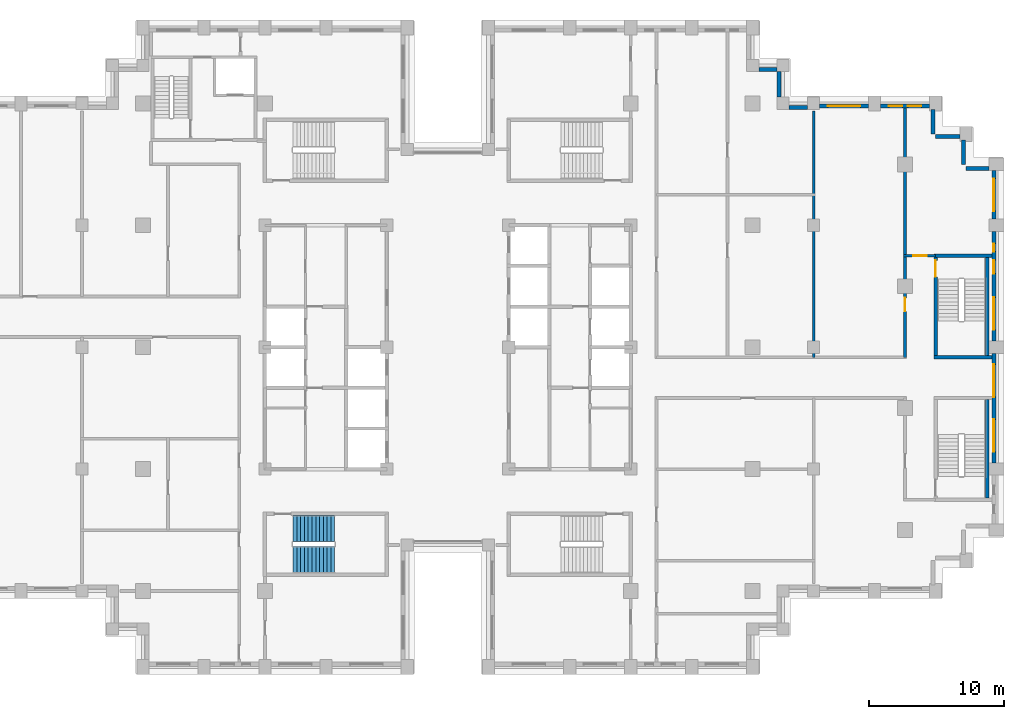
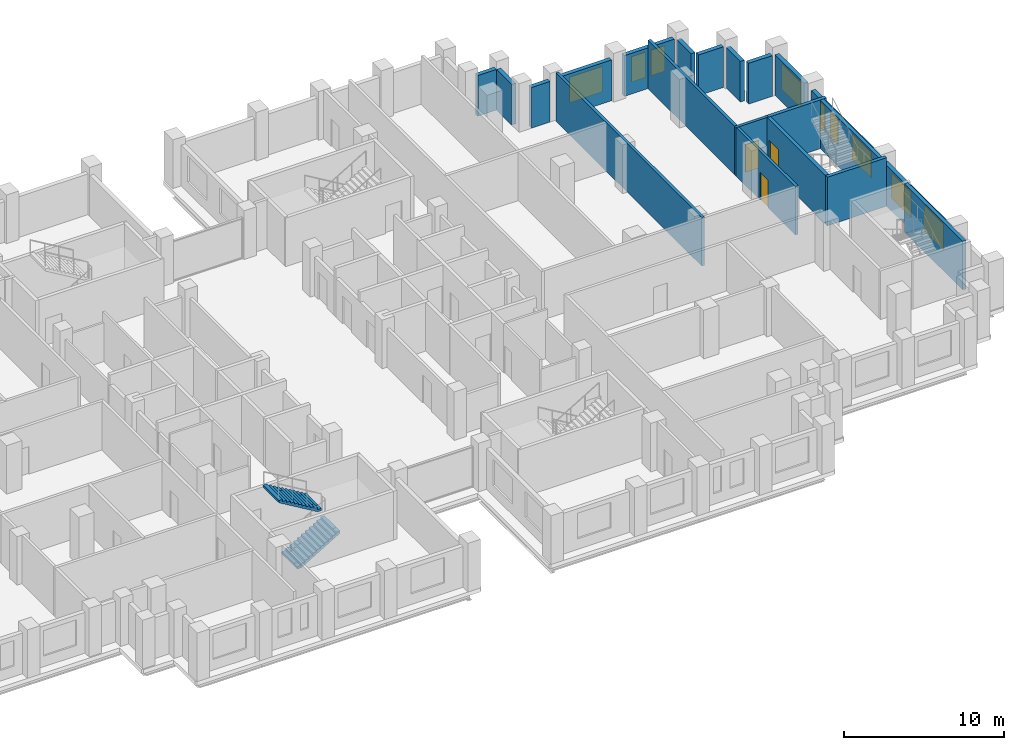
# One storey, part 12 of 15: 20 walls, 9 windows, 3 doors, 2 stair flights, 12 openings, 1 element without a shape of its own.
"""IFC4 building model written with IfcOpenShell, lengths in metres."""

from ifc_helpers import new_model, si_unit, direction, frame, frame_2d, origin, place, context, subcontext, project, spatial, polyline, rectangle, outline, extrude, material, layer, layer_set, type_object, element, fill, aggregate, save


model = new_model("IFC4")

# Units and contexts
model_context = context("Model", 3, precision=1e-05, world=origin(), true_north=direction((0.0, 1.0)))
body_context = subcontext(model_context, "Body", "Model", "MODEL_VIEW")
ifc_project = project(units=[si_unit("LENGTHUNIT", "METRE"), si_unit("AREAUNIT", "SQUARE_METRE"), si_unit("VOLUMEUNIT", "CUBIC_METRE"), si_unit("PLANEANGLEUNIT", "RADIAN"), si_unit("MASSUNIT", "GRAM", prefix="KILO")], contexts=[model_context])

# Site, building, storey
site_placement = place(None, origin())
site = spatial("IfcSite", under=ifc_project, at=site_placement, CompositionType="ELEMENT")
building_placement = place(site_placement, origin())
building = spatial("IfcBuilding", under=site, at=building_placement, Name="Corbelhall Arena Tower", CompositionType="ELEMENT")
storey_placement = place(building_placement, frame((0.0, 0.0, 162.0)))
storey = spatial("IfcBuildingStorey", under=building, at=storey_placement, Name="L32", CompositionType="ELEMENT", Elevation=162.0)

# Walls
ifc_material_1 = material(Name="Precast concrete C40/50 with granite facing", Category="masonry")
ifc_layer_1 = layer(ifc_material_1, 0.300048828125)
ifc_layer_set_1 = layer_set([ifc_layer_1], Name="EV-IW1 Infill panel 300")
wall_type_1 = type_object("IfcWallType", Name="EV-IW1 Infill panel 300", PredefinedType="SOLIDWALL", material=ifc_layer_set_1)
wall_1_placement = place(storey_placement, frame((39.949951171875, 13.199951171875, 0.0), z_axis=(0.0, 0.0, 1.0), x_axis=(-1.0, 0.0, 0.0)))
element("IfcWall", 1, at=wall_1_placement, inside=storey, type_object=wall_type_1, Name="Infill panel IW1", PredefinedType="SOLIDWALL", context=body_context, shape_type="SweptSolid", body=[
    extrude(rectangle(XDim=1.699951171875, YDim=0.300048828125, at=frame_2d((0.85009765625, 0.0))), origin(), (0.0, 0.0, 1.0), 3.10009765625),
])
for number, where, z_axis, x_axis, name in (
    (2, (38.050048828125, 15.300048828125, 0.0), (0.0, 0.0, 1.0), (0.0, -1.0, 0.0), "Infill panel IW1"),
    (3, (37.800048828125, 15.550048828125, 0.0), (0.0, 0.0, 1.0), (-1.0, 0.0, 0.0), "Infill panel IW1"),
    (4, (35.800048828125, 17.550048828125, 0.0), (0.0, 0.0, 1.0), (0.0, -1.0, 0.0), "Infill panel IW1"),
):
    element("IfcWall", number, at=place(storey_placement, frame(where, z_axis=z_axis, x_axis=x_axis)), inside=storey, type_object=wall_type_1, Name=name, PredefinedType="SOLIDWALL", context=body_context, shape_type="SweptSolid", body=[
        extrude(rectangle(XDim=1.800048828125, YDim=0.300048828125, at=frame_2d((0.89990234375, 0.0))), origin(), (0.0, 0.0, 1.0), 3.10009765625),
    ])

# Wall, openings, windows
wall_2_placement = place(storey_placement, frame((40.300048828125, -8.550048828125, 0.0), z_axis=(0.0, 0.0, 1.0), x_axis=(0.0, 1.0, 0.0)))
wall_2 = element("IfcWall", 5, at=wall_2_placement, inside=storey, type_object=wall_type_1, Name="Infill panel IW1", PredefinedType="SOLIDWALL", context=body_context, shape_type="SweptSolid", body=[
    extrude(rectangle(XDim=8.10009765625, YDim=0.300048828125, at=frame_2d((4.050048828125, 0.0))), origin(), (0.0, 0.0, 1.0), 3.10009765625),
])
opening_1_placement = place(wall_2_placement, frame((0.824951171875, 0.0, 0.800048828125)))
opening_1 = element("IfcOpeningElement", 6, at=opening_1_placement, cuts=wall_2, Name="Opening WN1", PredefinedType="OPENING", context=body_context, shape_type="SweptSolid", body=[
    extrude(rectangle(XDim=2.39990234375, YDim=1.949951171875, at=frame_2d((1.199951171875, 0.97509765625))), frame((0.0, 0.14990234375, 0.0), z_axis=(0.0, -1.0, 0.0), x_axis=(1.0, 0.0, 0.0)), (0.0, 0.0, 1.0), 0.300048828125),
])
opening_2_placement = place(wall_2_placement, frame((4.875, 0.0, 0.800048828125)))
opening_2 = element("IfcOpeningElement", 7, at=opening_2_placement, cuts=wall_2, Name="Opening WN1", PredefinedType="OPENING", context=body_context, shape_type="SweptSolid", body=[
    extrude(rectangle(XDim=2.39990234375, YDim=1.949951171875, at=frame_2d((1.199951171875, 0.97509765625))), frame((0.0, 0.14990234375, 0.0), z_axis=(0.0, -1.0, 0.0), x_axis=(1.0, 0.0, 0.0)), (0.0, 0.0, 1.0), 0.300048828125),
])
ifc_material_2 = material(Name="Aluminium black anodised", Category="aluminium")
window_type_1 = type_object("IfcWindowType", Name="EV-WN1 Office window", PartitioningType="SINGLE_PANEL", PredefinedType="WINDOW", material=ifc_material_2)
window_1_placement = place(opening_1_placement, origin())
window_1 = element("IfcWindow", 8, at=window_1_placement, inside=storey, type_object=window_type_1, Name="Window WN1", OverallHeight=1.949951171875, OverallWidth=2.39990234375, PartitioningType="SINGLE_PANEL", PredefinedType="WINDOW", context=body_context, shape_type="SweptSolid", body=[
    extrude(rectangle(XDim=2.39990234375, YDim=1.949951171875, at=frame_2d((1.199951171875, 0.97509765625))), frame((0.0, 0.030029296875, 0.0), z_axis=(0.0, -1.0, 0.0), x_axis=(1.0, 0.0, 0.0)), (0.0, 0.0, 1.0), 0.06005859375),
])
fill(opening_1, window_1)
window_2_placement = place(opening_2_placement, origin())
window_2 = element("IfcWindow", 9, at=window_2_placement, inside=storey, type_object=window_type_1, Name="Window WN1", OverallHeight=1.949951171875, OverallWidth=2.39990234375, PartitioningType="SINGLE_PANEL", PredefinedType="WINDOW", context=body_context, shape_type="SweptSolid", body=[
    extrude(rectangle(XDim=2.39990234375, YDim=1.949951171875, at=frame_2d((1.199951171875, 0.97509765625))), frame((0.0, 0.030029296875, 0.0), z_axis=(0.0, -1.0, 0.0), x_axis=(1.0, 0.0, 0.0)), (0.0, 0.0, 1.0), 0.06005859375),
])
fill(opening_2, window_2)

wall_3_placement = place(storey_placement, frame((40.300048828125, 0.449951171875, 0.0), z_axis=(0.0, 0.0, 1.0), x_axis=(0.0, 1.0, 0.0)))
wall_3 = element("IfcWall", 10, at=wall_3_placement, inside=storey, type_object=wall_type_1, Name="Infill panel IW1", PredefinedType="SOLIDWALL", context=body_context, shape_type="SweptSolid", body=[
    extrude(rectangle(XDim=8.10009765625, YDim=0.300048828125, at=frame_2d((4.050048828125, 0.0))), origin(), (0.0, 0.0, 1.0), 3.10009765625),
])
opening_3_placement = place(wall_3_placement, frame((0.824951171875, 0.0, 0.800048828125)))
opening_3 = element("IfcOpeningElement", 11, at=opening_3_placement, cuts=wall_3, Name="Opening WN1", PredefinedType="OPENING", context=body_context, shape_type="SweptSolid", body=[
    extrude(rectangle(XDim=2.39990234375, YDim=1.949951171875, at=frame_2d((1.199951171875, 0.97509765625))), frame((0.0, 0.14990234375, 0.0), z_axis=(0.0, -1.0, 0.0), x_axis=(1.0, 0.0, 0.0)), (0.0, 0.0, 1.0), 0.300048828125),
])
opening_4_placement = place(wall_3_placement, frame((4.97509765625, 0.0, 0.800048828125)))
opening_4 = element("IfcOpeningElement", 12, at=opening_4_placement, cuts=wall_3, Name="Opening WN6", PredefinedType="OPENING", context=body_context, shape_type="SweptSolid", body=[
    extrude(rectangle(XDim=1.0, YDim=1.949951171875, at=frame_2d((0.5, 0.97509765625))), frame((0.0, 0.14990234375, 0.0), z_axis=(0.0, -1.0, 0.0), x_axis=(1.0, 0.0, 0.0)), (0.0, 0.0, 1.0), 0.300048828125),
])
opening_5_placement = place(wall_3_placement, frame((6.60009765625, 0.0, 0.800048828125)))
opening_5 = element("IfcOpeningElement", 13, at=opening_5_placement, cuts=wall_3, Name="Opening WN5", PredefinedType="OPENING", context=body_context, shape_type="SweptSolid", body=[
    extrude(rectangle(XDim=0.60009765625, YDim=1.949951171875, at=frame_2d((0.300048828125, 0.97509765625))), frame((0.0, 0.14990234375, 0.0), z_axis=(0.0, -1.0, 0.0), x_axis=(1.0, 0.0, 0.0)), (0.0, 0.0, 1.0), 0.300048828125),
])
window_3_placement = place(opening_3_placement, origin())
window_3 = element("IfcWindow", 14, at=window_3_placement, inside=storey, type_object=window_type_1, Name="Window WN1", OverallHeight=1.949951171875, OverallWidth=2.39990234375, PartitioningType="SINGLE_PANEL", PredefinedType="WINDOW", context=body_context, shape_type="SweptSolid", body=[
    extrude(rectangle(XDim=2.39990234375, YDim=1.949951171875, at=frame_2d((1.199951171875, 0.97509765625))), frame((0.0, 0.030029296875, 0.0), z_axis=(0.0, -1.0, 0.0), x_axis=(1.0, 0.0, 0.0)), (0.0, 0.0, 1.0), 0.06005859375),
])
fill(opening_3, window_3)
window_type_2 = type_object("IfcWindowType", Name="EV-WN5 Office window 600", PartitioningType="SINGLE_PANEL", PredefinedType="WINDOW", material=ifc_material_2)
window_4_placement = place(opening_5_placement, origin())
window_4 = element("IfcWindow", 15, at=window_4_placement, inside=storey, type_object=window_type_2, Name="Window WN5", OverallHeight=1.949951171875, OverallWidth=0.60009765625, PartitioningType="SINGLE_PANEL", PredefinedType="WINDOW", context=body_context, shape_type="SweptSolid", body=[
    extrude(rectangle(XDim=0.60009765625, YDim=1.949951171875, at=frame_2d((0.300048828125, 0.97509765625))), frame((0.0, 0.030029296875, 0.0), z_axis=(0.0, -1.0, 0.0), x_axis=(1.0, 0.0, 0.0)), (0.0, 0.0, 1.0), 0.06005859375),
])
fill(opening_5, window_4)
window_type_3 = type_object("IfcWindowType", Name="EV-WN6 Office window 1000", PartitioningType="SINGLE_PANEL", PredefinedType="WINDOW", material=ifc_material_2)
window_5_placement = place(opening_4_placement, origin())
window_5 = element("IfcWindow", 16, at=window_5_placement, inside=storey, type_object=window_type_3, Name="Window WN6", OverallHeight=1.949951171875, OverallWidth=1.0, PartitioningType="SINGLE_PANEL", PredefinedType="WINDOW", context=body_context, shape_type="SweptSolid", body=[
    extrude(rectangle(XDim=1.0, YDim=1.949951171875, at=frame_2d((0.5, 0.97509765625))), frame((0.0, 0.030029296875, 0.0), z_axis=(0.0, -1.0, 0.0), x_axis=(1.0, 0.0, 0.0)), (0.0, 0.0, 1.0), 0.06005859375),
])
fill(opening_4, window_5)

# Wall, opening, window
wall_4_placement = place(storey_placement, frame((40.300048828125, 9.449951171875, 0.0), z_axis=(0.0, 0.0, 1.0), x_axis=(0.0, 1.0, 0.0)))
wall_4 = element("IfcWall", 17, at=wall_4_placement, inside=storey, type_object=wall_type_1, Name="Infill panel IW1", PredefinedType="SOLIDWALL", context=body_context, shape_type="SweptSolid", body=[
    extrude(rectangle(XDim=3.60009765625, YDim=0.300048828125, at=frame_2d((1.800048828125, 0.0))), origin(), (0.0, 0.0, 1.0), 3.10009765625),
])
opening_6_placement = place(wall_4_placement, frame((0.60009765625, 0.0, 0.800048828125)))
opening_6 = element("IfcOpeningElement", 18, at=opening_6_placement, cuts=wall_4, Name="Opening WN1", PredefinedType="OPENING", context=body_context, shape_type="SweptSolid", body=[
    extrude(rectangle(XDim=2.39990234375, YDim=1.949951171875, at=frame_2d((1.199951171875, 0.97509765625))), frame((0.0, 0.14990234375, 0.0), z_axis=(0.0, -1.0, 0.0), x_axis=(1.0, 0.0, 0.0)), (0.0, 0.0, 1.0), 0.300048828125),
])
window_6_placement = place(opening_6_placement, origin())
window_6 = element("IfcWindow", 19, at=window_6_placement, inside=storey, type_object=window_type_1, Name="Window WN1", OverallHeight=1.949951171875, OverallWidth=2.39990234375, PartitioningType="SINGLE_PANEL", PredefinedType="WINDOW", context=body_context, shape_type="SweptSolid", body=[
    extrude(rectangle(XDim=2.39990234375, YDim=1.949951171875, at=frame_2d((1.199951171875, 0.97509765625))), frame((0.0, 0.030029296875, 0.0), z_axis=(0.0, -1.0, 0.0), x_axis=(1.0, 0.0, 0.0)), (0.0, 0.0, 1.0), 0.06005859375),
])
fill(opening_6, window_6)

# Wall, openings, windows
wall_5_placement = place(storey_placement, frame((35.550048828125, 17.800048828125, 0.0), z_axis=(0.0, 0.0, 1.0), x_axis=(-1.0, 0.0, 0.0)))
wall_5 = element("IfcWall", 20, at=wall_5_placement, inside=storey, type_object=wall_type_1, Name="Infill panel IW1", PredefinedType="SOLIDWALL", context=body_context, shape_type="SweptSolid", body=[
    extrude(rectangle(XDim=3.60009765625, YDim=0.300048828125, at=frame_2d((1.800048828125, 0.0))), origin(), (0.0, 0.0, 1.0), 3.10009765625),
])
opening_7_placement = place(wall_5_placement, frame((0.60009765625, 0.0, 0.800048828125)))
opening_7 = element("IfcOpeningElement", 21, at=opening_7_placement, cuts=wall_5, Name="Opening WN6", PredefinedType="OPENING", context=body_context, shape_type="SweptSolid", body=[
    extrude(rectangle(XDim=1.0, YDim=1.949951171875, at=frame_2d((0.5, 0.97509765625))), frame((0.0, 0.14990234375, 0.0), z_axis=(0.0, -1.0, 0.0), x_axis=(1.0, 0.0, 0.0)), (0.0, 0.0, 1.0), 0.300048828125),
])
opening_8_placement = place(wall_5_placement, frame((2.0, 0.0, 0.800048828125)))
opening_8 = element("IfcOpeningElement", 22, at=opening_8_placement, cuts=wall_5, Name="Opening WN6", PredefinedType="OPENING", context=body_context, shape_type="SweptSolid", body=[
    extrude(rectangle(XDim=1.0, YDim=1.949951171875, at=frame_2d((0.5, 0.97509765625))), frame((0.0, 0.14990234375, 0.0), z_axis=(0.0, -1.0, 0.0), x_axis=(1.0, 0.0, 0.0)), (0.0, 0.0, 1.0), 0.300048828125),
])
window_7_placement = place(opening_7_placement, origin())
window_7 = element("IfcWindow", 23, at=window_7_placement, inside=storey, type_object=window_type_3, Name="Window WN6", OverallHeight=1.949951171875, OverallWidth=1.0, PartitioningType="SINGLE_PANEL", PredefinedType="WINDOW", context=body_context, shape_type="SweptSolid", body=[
    extrude(rectangle(XDim=1.0, YDim=1.949951171875, at=frame_2d((0.5, 0.97509765625))), frame((0.0, 0.030029296875, 0.0), z_axis=(0.0, -1.0, 0.0), x_axis=(1.0, 0.0, 0.0)), (0.0, 0.0, 1.0), 0.06005859375),
])
fill(opening_7, window_7)
window_8_placement = place(opening_8_placement, origin())
window_8 = element("IfcWindow", 24, at=window_8_placement, inside=storey, type_object=window_type_3, Name="Window WN6", OverallHeight=1.949951171875, OverallWidth=1.0, PartitioningType="SINGLE_PANEL", PredefinedType="WINDOW", context=body_context, shape_type="SweptSolid", body=[
    extrude(rectangle(XDim=1.0, YDim=1.949951171875, at=frame_2d((0.5, 0.97509765625))), frame((0.0, 0.030029296875, 0.0), z_axis=(0.0, -1.0, 0.0), x_axis=(1.0, 0.0, 0.0)), (0.0, 0.0, 1.0), 0.06005859375),
])
fill(opening_8, window_8)

# Wall, opening, window
wall_6_placement = place(storey_placement, frame((31.050048828125, 17.800048828125, 0.0), z_axis=(0.0, 0.0, 1.0), x_axis=(-1.0, 0.0, 0.0)))
wall_6 = element("IfcWall", 25, at=wall_6_placement, inside=storey, type_object=wall_type_1, Name="Infill panel IW1", PredefinedType="SOLIDWALL", context=body_context, shape_type="SweptSolid", body=[
    extrude(rectangle(XDim=3.60009765625, YDim=0.300048828125, at=frame_2d((1.800048828125, 0.0))), origin(), (0.0, 0.0, 1.0), 3.10009765625),
])
opening_9_placement = place(wall_6_placement, frame((0.60009765625, 0.0, 0.800048828125)))
opening_9 = element("IfcOpeningElement", 26, at=opening_9_placement, cuts=wall_6, Name="Opening WN1", PredefinedType="OPENING", context=body_context, shape_type="SweptSolid", body=[
    extrude(rectangle(XDim=2.39990234375, YDim=1.949951171875, at=frame_2d((1.199951171875, 0.97509765625))), frame((0.0, 0.14990234375, 0.0), z_axis=(0.0, -1.0, 0.0), x_axis=(1.0, 0.0, 0.0)), (0.0, 0.0, 1.0), 0.300048828125),
])
window_9_placement = place(opening_9_placement, origin())
window_9 = element("IfcWindow", 27, at=window_9_placement, inside=storey, type_object=window_type_1, Name="Window WN1", OverallHeight=1.949951171875, OverallWidth=2.39990234375, PartitioningType="SINGLE_PANEL", PredefinedType="WINDOW", context=body_context, shape_type="SweptSolid", body=[
    extrude(rectangle(XDim=2.39990234375, YDim=1.949951171875, at=frame_2d((1.199951171875, 0.97509765625))), frame((0.0, 0.030029296875, 0.0), z_axis=(0.0, -1.0, 0.0), x_axis=(1.0, 0.0, 0.0)), (0.0, 0.0, 1.0), 0.06005859375),
])
fill(opening_9, window_9)

# Walls
wall_7_placement = place(storey_placement, frame((26.550048828125, 17.699951171875, 0.0), z_axis=(0.0, 0.0, 1.0), x_axis=(-1.0, 0.0, 0.0)))
element("IfcWall", 28, at=wall_7_placement, inside=storey, type_object=wall_type_1, Name="Infill panel IW1", PredefinedType="SOLIDWALL", context=body_context, shape_type="SweptSolid", body=[
    extrude(rectangle(XDim=1.35009765625, YDim=0.300048828125, at=frame_2d((0.675048828125, 0.0))), origin(), (0.0, 0.0, 1.0), 3.10009765625),
])
wall_8_placement = place(storey_placement, frame((24.449951171875, 18.449951171875, 0.0), z_axis=(0.0, 0.0, 1.0), x_axis=(0.0, 1.0, 0.0)))
element("IfcWall", 29, at=wall_8_placement, inside=storey, type_object=wall_type_1, Name="Infill panel IW1", PredefinedType="SOLIDWALL", context=body_context, shape_type="SweptSolid", body=[
    extrude(rectangle(XDim=1.900146484375, YDim=0.300048828125, at=frame_2d((0.9501953125, 0.0))), origin(), (0.0, 0.0, 1.0), 3.10009765625),
])
wall_9_placement = place(storey_placement, frame((24.300048828125, 20.5, 0.0), z_axis=(0.0, 0.0, 1.0), x_axis=(-1.0, 0.0, 0.0)))
element("IfcWall", 30, at=wall_9_placement, inside=storey, type_object=wall_type_1, Name="Infill panel IW1", PredefinedType="SOLIDWALL", context=body_context, shape_type="SweptSolid", body=[
    extrude(rectangle(XDim=1.35009765625, YDim=0.300048828125, at=frame_2d((0.675048828125, 0.0))), origin(), (0.0, 0.0, 1.0), 3.10009765625),
])
ifc_material_3 = material(Name="Gypsum board on steel stud, acoustic", Category="steel")
ifc_layer_2 = layer(ifc_material_3, 0.199951171875)
ifc_layer_set_2 = layer_set([ifc_layer_2], Name="IN-W-DM200")
wall_type_2 = type_object("IfcWallType", Name="IN-W-DM200", PredefinedType="PARTITIONING", material=ifc_layer_set_2)
wall_10_placement = place(storey_placement, frame((27.0, 17.449951171875, 0.0), z_axis=(0.0, 0.0, 1.0), x_axis=(0.0, -1.0, 0.0)))
element("IfcWall", 31, at=wall_10_placement, inside=storey, type_object=wall_type_2, Name="Partition 038", PredefinedType="PARTITIONING", context=body_context, shape_type="SweptSolid", body=[
    extrude(rectangle(XDim=18.199951171875, YDim=0.199951171875, at=frame_2d((9.10009765625, 0.0))), origin(), (0.0, 0.0, 1.0), 3.699951171875),
])

# Wall, opening, door
wall_11_placement = place(storey_placement, frame((33.64990234375, 6.75, 0.0), z_axis=(0.0, 0.0, 1.0), x_axis=(1.0, 0.0, 0.0)))
wall_11 = element("IfcWall", 32, at=wall_11_placement, inside=storey, type_object=wall_type_2, Name="Partition 040", PredefinedType="PARTITIONING", context=body_context, shape_type="SweptSolid", body=[
    extrude(rectangle(XDim=2.35009765625, YDim=0.199951171875, at=frame_2d((1.175048828125, 0.0))), origin(), (0.0, 0.0, 1.0), 3.699951171875),
])
opening_10_placement = place(wall_11_placement, frame((0.699951171875, 0.0, 0.0)))
opening_10 = element("IfcOpeningElement", 33, at=opening_10_placement, cuts=wall_11, Name="Opening 09044", PredefinedType="OPENING", context=body_context, shape_type="SweptSolid", body=[
    extrude(rectangle(XDim=1.0, YDim=2.10009765625, at=frame_2d((0.5, 1.050048828125))), frame((0.0, 0.10009765625, 0.0), z_axis=(0.0, -1.0, 0.0), x_axis=(1.0, 0.0, 0.0)), (0.0, 0.0, 1.0), 0.199951171875),
])
ifc_material_4 = material(Name="Steel door set", Category="steel")
door_type_1 = type_object("IfcDoorType", Name="IN-D-SW100", OperationType="NOTDEFINED", PredefinedType="DOOR", material=ifc_material_4)
door_1_placement = place(opening_10_placement, origin())
door_1 = element("IfcDoor", 34, at=door_1_placement, inside=storey, type_object=door_type_1, Name="Door 044", OperationType="SINGLE_SWING_LEFT", OverallHeight=2.10009765625, OverallWidth=1.0, PredefinedType="DOOR", context=body_context, shape_type="SweptSolid", body=[
    extrude(rectangle(XDim=1.0, YDim=2.10009765625, at=frame_2d((0.5, 1.050048828125))), frame((0.0, 0.02490234375, 0.0), z_axis=(0.0, -1.0, 0.0), x_axis=(1.0, 0.0, 0.0)), (0.0, 0.0, 1.0), 0.050048828125),
])
fill(opening_10, door_1)

wall_12_placement = place(storey_placement, frame((33.75, -0.75, 0.0), z_axis=(0.0, 0.0, 1.0), x_axis=(0.0, 1.0, 0.0)))
wall_12 = element("IfcWall", 35, at=wall_12_placement, inside=storey, type_object=wall_type_2, Name="Partition 042", PredefinedType="PARTITIONING", context=body_context, shape_type="SweptSolid", body=[
    extrude(rectangle(XDim=18.39990234375, YDim=0.199951171875, at=frame_2d((9.199951171875, 0.0))), origin(), (0.0, 0.0, 1.0), 3.699951171875),
])
opening_11_placement = place(wall_12_placement, frame((3.39990234375, 0.0, 0.0)))
opening_11 = element("IfcOpeningElement", 36, at=opening_11_placement, cuts=wall_12, Name="Opening 09043", PredefinedType="OPENING", context=body_context, shape_type="SweptSolid", body=[
    extrude(rectangle(XDim=1.0, YDim=2.10009765625, at=frame_2d((0.5, 1.050048828125))), frame((0.0, 0.10009765625, 0.0), z_axis=(0.0, -1.0, 0.0), x_axis=(1.0, 0.0, 0.0)), (0.0, 0.0, 1.0), 0.199951171875),
])
door_2_placement = place(opening_11_placement, origin())
door_2 = element("IfcDoor", 37, at=door_2_placement, inside=storey, type_object=door_type_1, Name="Door 043", OperationType="SINGLE_SWING_RIGHT", OverallHeight=2.10009765625, OverallWidth=1.0, PredefinedType="DOOR", context=body_context, shape_type="SweptSolid", body=[
    extrude(rectangle(XDim=1.0, YDim=2.10009765625, at=frame_2d((0.5, 1.050048828125))), frame((0.0, 0.02490234375, 0.0), z_axis=(0.0, -1.0, 0.0), x_axis=(1.0, 0.0, 0.0)), (0.0, 0.0, 1.0), 0.050048828125),
])
fill(opening_11, door_2)

# Wall
ifc_material_5 = material(Name="Concrete C40/50", Category="concrete")
ifc_layer_3 = layer(ifc_material_5, 0.25)
ifc_layer_set_3 = layer_set([ifc_layer_3], Name="IN-W-ST250")
wall_type_3 = type_object("IfcWallType", Name="IN-W-ST250", PredefinedType="SOLIDWALL", material=ifc_layer_set_3)
wall_13_placement = place(storey_placement, frame((35.875, -0.75, 0.0), z_axis=(0.0, 0.0, 1.0), x_axis=(1.0, 0.0, 0.0)))
element("IfcWall", 38, at=wall_13_placement, inside=storey, type_object=wall_type_3, Name="Shaft wall 100", PredefinedType="SOLIDWALL", context=body_context, shape_type="SweptSolid", body=[
    extrude(rectangle(XDim=4.27490234375, YDim=0.25, at=frame_2d((2.137451171875, 0.0))), origin(), (0.0, 0.0, 1.0), 3.699951171875),
])

# Wall, opening, door
wall_14_placement = place(storey_placement, frame((36.0, -0.75, 0.0), z_axis=(0.0, 0.0, 1.0), x_axis=(0.0, 1.0, 0.0)))
wall_14 = element("IfcWall", 39, at=wall_14_placement, inside=storey, type_object=wall_type_3, Name="Shaft wall 102", PredefinedType="SOLIDWALL", context=body_context, shape_type="SweptSolid", body=[
    extrude(rectangle(XDim=7.625, YDim=0.25, at=frame_2d((3.8125, 0.0))), origin(), (0.0, 0.0, 1.0), 3.699951171875),
])
opening_12_placement = place(wall_14_placement, frame((5.949951171875, 0.0, 0.0)))
opening_12 = element("IfcOpeningElement", 40, at=opening_12_placement, cuts=wall_14, Name="Opening 09019", PredefinedType="OPENING", context=body_context, shape_type="SweptSolid", body=[
    extrude(rectangle(XDim=1.199951171875, YDim=2.10009765625, at=frame_2d((0.60009765625, 1.050048828125))), frame((0.0, 0.125, 0.0), z_axis=(0.0, -1.0, 0.0), x_axis=(1.0, 0.0, 0.0)), (0.0, 0.0, 1.0), 0.25),
])
door_type_2 = type_object("IfcDoorType", Name="IN-D-ST120", OperationType="NOTDEFINED", PredefinedType="DOOR", material=ifc_material_4)
door_3_placement = place(opening_12_placement, origin())
door_3 = element("IfcDoor", 41, at=door_3_placement, inside=storey, type_object=door_type_2, Name="Door 019", OperationType="SINGLE_SWING_RIGHT", OverallHeight=2.10009765625, OverallWidth=1.199951171875, PredefinedType="DOOR", context=body_context, shape_type="SweptSolid", body=[
    extrude(rectangle(XDim=1.199951171875, YDim=2.10009765625, at=frame_2d((0.60009765625, 1.050048828125))), frame((0.0, 0.02490234375, 0.0), z_axis=(0.0, -1.0, 0.0), x_axis=(1.0, 0.0, 0.0)), (0.0, 0.0, 1.0), 0.050048828125),
])
fill(opening_12, door_3)

# Walls
wall_15_placement = place(storey_placement, frame((36.0, 6.75, 0.0), z_axis=(0.0, 0.0, 1.0), x_axis=(1.0, 0.0, 0.0)))
element("IfcWall", 42, at=wall_15_placement, inside=storey, type_object=wall_type_3, Name="Shaft wall 103", PredefinedType="SOLIDWALL", context=body_context, shape_type="SweptSolid", body=[
    extrude(rectangle(XDim=4.14990234375, YDim=0.25, at=frame_2d((2.074951171875, 0.0))), origin(), (0.0, 0.0, 1.0), 3.699951171875),
])
for number, where, z_axis, x_axis, name in (
    (43, (39.824951171875, -11.125, 0.0), (0.0, 0.0, 1.0), (0.0, 1.0, 0.0), "Shaft wall SD1 facade side"),
    (44, (39.824951171875, -0.625, 0.0), (0.0, 0.0, 1.0), (0.0, 1.0, 0.0), "Shaft wall SD2 facade side"),
):
    element("IfcWall", number, at=place(storey_placement, frame(where, z_axis=z_axis, x_axis=x_axis)), inside=storey, type_object=wall_type_3, Name=name, PredefinedType="SOLIDWALL", context=body_context, shape_type="SweptSolid", body=[
        extrude(rectangle(XDim=7.25, YDim=0.25, at=frame_2d((3.625, 0.0))), origin(), (0.0, 0.0, 1.0), 3.699951171875),
    ])

# Stair, stair flights
stair_type = type_object("IfcStairType", Name="IN-ST-TOWER", PredefinedType="HALF_TURN_STAIR", material=ifc_material_5)
stair_placement = place(storey_placement, origin())
stair = element("IfcStair", 45, at=stair_placement, inside=storey, type_object=stair_type, Name="L32 Exit stair ST2", PredefinedType="HALF_TURN_STAIR")
stair_flight_type = type_object("IfcStairFlightType", Name="IN-SFL-RC", PredefinedType="STRAIGHT", material=ifc_material_5)
stair_flight_1_placement = place(storey_placement, frame((-11.425048828125, -15.699951171875, 0.0), z_axis=(0.0, 0.0, 1.0), x_axis=(1.0, 0.0, 0.0)))
stair_flight_1 = element("IfcStairFlight", 46, at=stair_flight_1_placement, type_object=stair_flight_type, Name="ST2 flight 1", NumberOfRisers=12, NumberOfTreads=11, PredefinedType="STRAIGHT", RiserHeight=0.166666667, TreadLength=0.28, context=body_context, shape_type="SweptSolid", body=[
    extrude(outline(polyline([(0.0, 0.0), (0.0, 0.166748046875), (0.280029296875, 0.166748046875), (0.280029296875, 0.333251953125), (0.56005859375, 0.333251953125), (0.56005859375, 0.5), (0.840087890625, 0.5), (0.840087890625, 0.666748046875), (1.1201171875, 0.666748046875), (1.1201171875, 0.833251953125), (1.39990234375, 0.833251953125), (1.39990234375, 1.0), (1.679931640625, 1.0), (1.679931640625, 1.166748046875), (1.9599609375, 1.166748046875), (1.9599609375, 1.333251953125), (2.239990234375, 1.333251953125), (2.239990234375, 1.5), (2.52001953125, 1.5), (2.52001953125, 1.666748046875), (2.800048828125, 1.666748046875), (2.800048828125, 1.833251953125), (3.080078125, 1.833251953125), (3.080078125, 2.0), (3.080078125, 1.658935546875), (0.29296875, 0.0), (0.0, 0.0)])), frame((0.0, 0.97509765625, 0.0), z_axis=(0.0, -1.0, 0.0), x_axis=(1.0, 0.0, 0.0)), (0.0, 0.0, 1.0), 0.449951171875),
    extrude(outline(polyline([(0.0, 0.0), (0.0, 0.166748046875), (0.280029296875, 0.166748046875), (0.280029296875, 0.333251953125), (0.56005859375, 0.333251953125), (0.56005859375, 0.5), (0.840087890625, 0.5), (0.840087890625, 0.666748046875), (1.1201171875, 0.666748046875), (1.1201171875, 0.833251953125), (1.39990234375, 0.833251953125), (1.39990234375, 1.0), (1.679931640625, 1.0), (1.679931640625, 1.166748046875), (1.9599609375, 1.166748046875), (1.9599609375, 1.333251953125), (2.239990234375, 1.333251953125), (2.239990234375, 1.5), (2.52001953125, 1.5), (2.52001953125, 1.666748046875), (2.800048828125, 1.666748046875), (2.800048828125, 1.833251953125), (3.080078125, 1.833251953125), (3.080078125, 2.0), (3.080078125, 1.658935546875), (0.29296875, 0.0), (0.0, 0.0)])), frame((0.0, 0.52099609375, 0.0), z_axis=(0.0, -1.0, 0.0), x_axis=(1.0, 0.0, 0.0)), (0.0, 0.0, 1.0), 1.0419921875),
    extrude(outline(polyline([(0.0, 0.0), (0.0, 0.166748046875), (0.280029296875, 0.166748046875), (0.280029296875, 0.333251953125), (0.56005859375, 0.333251953125), (0.56005859375, 0.5), (0.840087890625, 0.5), (0.840087890625, 0.666748046875), (1.1201171875, 0.666748046875), (1.1201171875, 0.833251953125), (1.39990234375, 0.833251953125), (1.39990234375, 1.0), (1.679931640625, 1.0), (1.679931640625, 1.166748046875), (1.9599609375, 1.166748046875), (1.9599609375, 1.333251953125), (2.239990234375, 1.333251953125), (2.239990234375, 1.5), (2.52001953125, 1.5), (2.52001953125, 1.666748046875), (2.800048828125, 1.666748046875), (2.800048828125, 1.833251953125), (3.080078125, 1.833251953125), (3.080078125, 2.0), (3.080078125, 1.658935546875), (0.29296875, 0.0), (0.0, 0.0)])), frame((0.0, -0.52490234375, 0.0), z_axis=(0.0, -1.0, 0.0), x_axis=(1.0, 0.0, 0.0)), (0.0, 0.0, 1.0), 0.449951171875),
])
stair_flight_2_placement = place(storey_placement, frame((-8.344970703125, -13.39990234375, 2.0), z_axis=(0.0, 0.0, 1.0), x_axis=(-1.0, 0.0, 0.0)))
stair_flight_2 = element("IfcStairFlight", 47, at=stair_flight_2_placement, type_object=stair_flight_type, Name="ST2 flight 2", NumberOfRisers=12, NumberOfTreads=11, PredefinedType="STRAIGHT", RiserHeight=0.166666667, TreadLength=0.28, context=body_context, shape_type="SweptSolid", body=[
    extrude(outline(polyline([(0.0, 0.0), (0.0, 0.166748046875), (0.280029296875, 0.166748046875), (0.280029296875, 0.333251953125), (0.56005859375, 0.333251953125), (0.56005859375, 0.5), (0.840087890625, 0.5), (0.840087890625, 0.666748046875), (1.1201171875, 0.666748046875), (1.1201171875, 0.833251953125), (1.39990234375, 0.833251953125), (1.39990234375, 1.0), (1.679931640625, 1.0), (1.679931640625, 1.166748046875), (1.9599609375, 1.166748046875), (1.9599609375, 1.333251953125), (2.239990234375, 1.333251953125), (2.239990234375, 1.5), (2.52001953125, 1.5), (2.52001953125, 1.666748046875), (2.800048828125, 1.666748046875), (2.800048828125, 1.833251953125), (3.080078125, 1.833251953125), (3.080078125, 2.0), (3.080078125, 1.658935546875), (0.29296875, 0.0), (0.0, 0.0)])), frame((0.0, 0.97509765625, 0.0), z_axis=(0.0, -1.0, 0.0), x_axis=(1.0, 0.0, 0.0)), (0.0, 0.0, 1.0), 0.449951171875),
    extrude(outline(polyline([(0.0, 0.0), (0.0, 0.166748046875), (0.280029296875, 0.166748046875), (0.280029296875, 0.333251953125), (0.56005859375, 0.333251953125), (0.56005859375, 0.5), (0.840087890625, 0.5), (0.840087890625, 0.666748046875), (1.1201171875, 0.666748046875), (1.1201171875, 0.833251953125), (1.39990234375, 0.833251953125), (1.39990234375, 1.0), (1.679931640625, 1.0), (1.679931640625, 1.166748046875), (1.9599609375, 1.166748046875), (1.9599609375, 1.333251953125), (2.239990234375, 1.333251953125), (2.239990234375, 1.5), (2.52001953125, 1.5), (2.52001953125, 1.666748046875), (2.800048828125, 1.666748046875), (2.800048828125, 1.833251953125), (3.080078125, 1.833251953125), (3.080078125, 2.0), (3.080078125, 1.658935546875), (0.29296875, 0.0), (0.0, 0.0)])), frame((0.0, 0.52099609375, 0.0), z_axis=(0.0, -1.0, 0.0), x_axis=(1.0, 0.0, 0.0)), (0.0, 0.0, 1.0), 1.0419921875),
    extrude(outline(polyline([(0.0, 0.0), (0.0, 0.166748046875), (0.280029296875, 0.166748046875), (0.280029296875, 0.333251953125), (0.56005859375, 0.333251953125), (0.56005859375, 0.5), (0.840087890625, 0.5), (0.840087890625, 0.666748046875), (1.1201171875, 0.666748046875), (1.1201171875, 0.833251953125), (1.39990234375, 0.833251953125), (1.39990234375, 1.0), (1.679931640625, 1.0), (1.679931640625, 1.166748046875), (1.9599609375, 1.166748046875), (1.9599609375, 1.333251953125), (2.239990234375, 1.333251953125), (2.239990234375, 1.5), (2.52001953125, 1.5), (2.52001953125, 1.666748046875), (2.800048828125, 1.666748046875), (2.800048828125, 1.833251953125), (3.080078125, 1.833251953125), (3.080078125, 2.0), (3.080078125, 1.658935546875), (0.29296875, 0.0), (0.0, 0.0)])), frame((0.0, -0.52490234375, 0.0), z_axis=(0.0, -1.0, 0.0), x_axis=(1.0, 0.0, 0.0)), (0.0, 0.0, 1.0), 0.449951171875),
])
aggregate(stair, [stair_flight_1, stair_flight_2])

save(model, "model.ifc")
